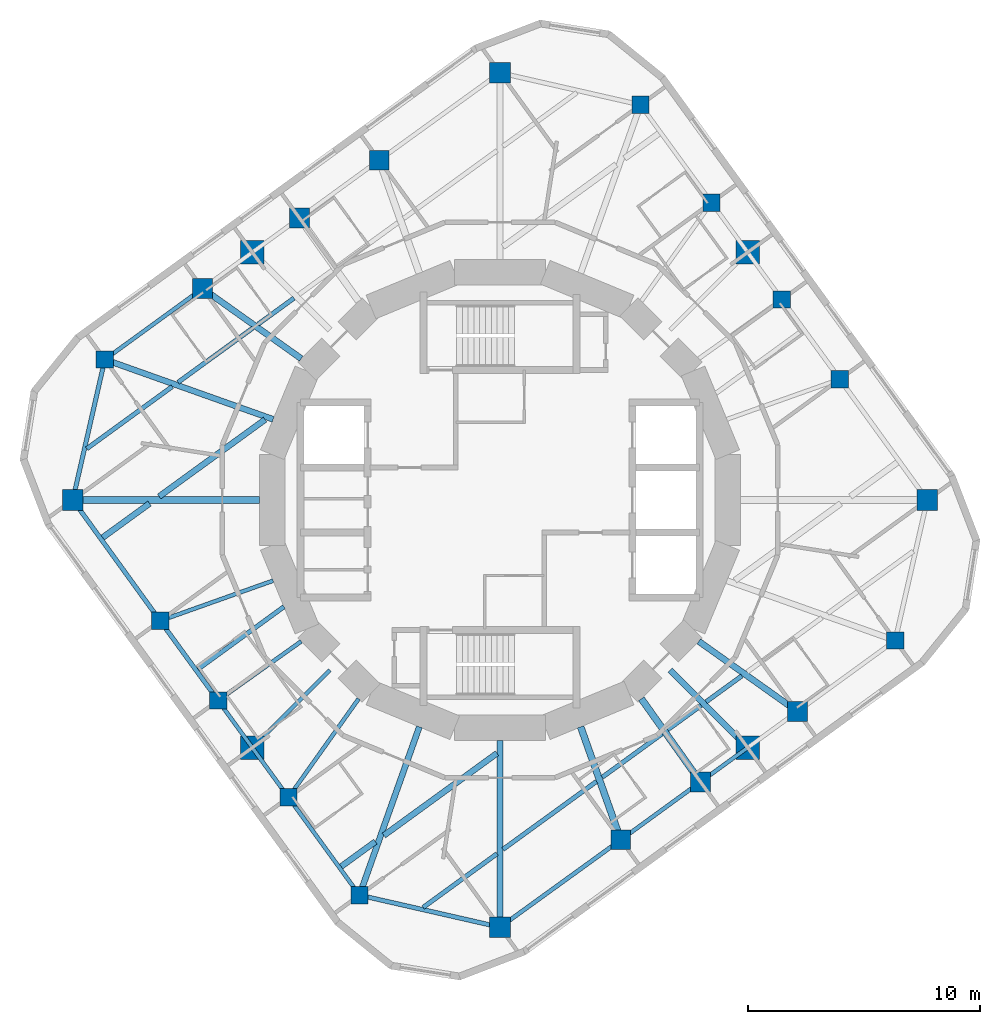
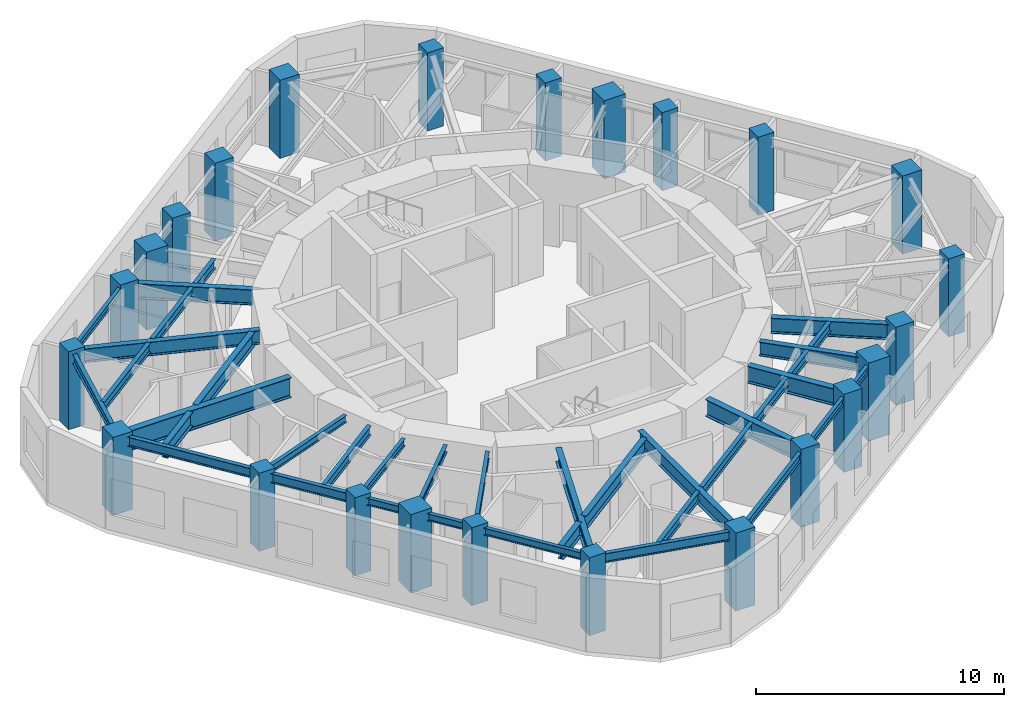
# One storey, part 1 of 9: 37 beams, 24 columns.
"""IFC4 building model written with IfcOpenShell, lengths in metres."""

from ifc_helpers import new_model, si_unit, direction, frame, origin, origin_2d, place, context, subcontext, project, spatial, rectangle, i_section, extrude, material, material_profile, profile_set, type_object, element, save


model = new_model("IFC4")

# Units and contexts
model_context = context("Model", 3, precision=1e-05, world=origin(), true_north=direction((0.0, 1.0)))
body_context = subcontext(model_context, "Body", "Model", "MODEL_VIEW")
ifc_project = project(units=[si_unit("LENGTHUNIT", "METRE"), si_unit("AREAUNIT", "SQUARE_METRE"), si_unit("VOLUMEUNIT", "CUBIC_METRE"), si_unit("PLANEANGLEUNIT", "RADIAN"), si_unit("MASSUNIT", "GRAM", prefix="KILO")], contexts=[model_context])

# Site, building, storey
site_placement = place(None, origin())
site = spatial("IfcSite", under=ifc_project, at=site_placement, CompositionType="ELEMENT")
building_placement = place(site_placement, origin())
building = spatial("IfcBuilding", under=site, at=building_placement, Name="Nakasero Lantern House", CompositionType="ELEMENT")
storey_placement = place(building_placement, frame((0.0, 0.0, 271.449951171875)))
storey = spatial("IfcBuildingStorey", under=building, at=storey_placement, Name="L66", CompositionType="ELEMENT", Elevation=271.449951171875)

# Columns
ifc_material_1 = material(Name="Concrete C40/50", Category="concrete")
ifc_material_profile_1 = material_profile(ifc_material_1, rectangle(XDim=1.0, YDim=1.0, at=origin_2d()), Name="RC 1000x1000")
ifc_profile_set_1 = profile_set([ifc_material_profile_1], Name="Concrete C40/50")
column_type_1 = type_object("IfcColumnType", Name="Mega column RC 1000x1000 C40/50", PredefinedType="COLUMN", material=ifc_profile_set_1)
for number, where, z_axis, x_axis, name in (
    (1, (10.667236328125, 10.667236328125, 0.0), (0.0, 0.0, 1.0), (1.0, 0.0, 0.0), "Column B7-C06 L66"),
    (2, (-10.667236328125, 10.667236328125, 0.0), (0.0, 0.0, 1.0), (1.0, 0.0, 0.0), "Column B7-C12 L66"),
    (3, (-10.667236328125, -10.667236328125, 0.0), (0.0, 0.0, 1.0), (1.0, 0.0, 0.0), "Column B7-C18 L66"),
    (4, (10.667236328125, -10.667236328125, 0.0), (0.0, 0.0, 1.0), (1.0, 0.0, 0.0), "Column B7-C24 L66"),
):
    element("IfcColumn", number, at=place(storey_placement, frame(where, z_axis=z_axis, x_axis=x_axis)), inside=storey, type_object=column_type_1, Name=name, PredefinedType="COLUMN", context=body_context, shape_type="SweptSolid", body=[
        extrude(rectangle(XDim=1.0, YDim=1.0, at=origin_2d()), origin(), (0.0, 0.0, 1.0), 3.85009765625),
    ])
ifc_material_2 = material(Name="Concrete C40/50", Category="concrete")
ifc_material_profile_2 = material_profile(ifc_material_2, rectangle(XDim=0.75, YDim=0.75, at=origin_2d()), Name="RC 750x750")
ifc_profile_set_2 = profile_set([ifc_material_profile_2], Name="Concrete C40/50")
column_type_2 = type_object("IfcColumnType", Name="Ring column RC 750x750 C40/50", PredefinedType="COLUMN", material=ifc_profile_set_2)
for number, where, z_axis, x_axis, name in (
    (5, (17.02001953125, -6.051513671875, 0.0), (0.0, 0.0, 1.0), (1.0, 0.0, 0.0), "Column B7-C02 L66"),
    (6, (14.636474609375, 5.2041015625, 0.0), (0.0, 0.0, 1.0), (1.0, 0.0, 0.0), "Column B7-C04 L66"),
    (7, (12.1435546875, 8.63525390625, 0.0), (0.0, 0.0, 1.0), (1.0, 0.0, 0.0), "Column B7-C05 L66"),
    (8, (9.10986328125, 12.810791015625, 0.0), (0.0, 0.0, 1.0), (1.0, 0.0, 0.0), "Column B7-C07 L66"),
    (9, (6.051513671875, 17.02001953125, 0.0), (0.0, 0.0, 1.0), (1.0, 0.0, 0.0), "Column B7-C08 L66"),
    (10, (-17.02001953125, 6.051513671875, 0.0), (0.0, 0.0, 1.0), (1.0, 0.0, 0.0), "Column B7-C14 L66"),
    (11, (-14.636474609375, -5.2041015625, 0.0), (0.0, 0.0, 1.0), (1.0, 0.0, 0.0), "Column B7-C16 L66"),
    (12, (-12.1435546875, -8.63525390625, 0.0), (0.0, 0.0, 1.0), (1.0, 0.0, 0.0), "Column B7-C17 L66"),
    (13, (-9.10986328125, -12.810791015625, 0.0), (0.0, 0.0, 1.0), (1.0, 0.0, 0.0), "Column B7-C19 L66"),
    (14, (-6.051513671875, -17.02001953125, 0.0), (0.0, 0.0, 1.0), (1.0, 0.0, 0.0), "Column B7-C20 L66"),
):
    element("IfcColumn", number, at=place(storey_placement, frame(where, z_axis=z_axis, x_axis=x_axis)), inside=storey, type_object=column_type_2, Name=name, PredefinedType="COLUMN", context=body_context, shape_type="SweptSolid", body=[
        extrude(rectangle(XDim=0.75, YDim=0.75, at=origin_2d()), origin(), (0.0, 0.0, 1.0), 3.85009765625),
    ])
ifc_material_3 = material(Name="Concrete C40/50", Category="concrete")
ifc_material_profile_3 = material_profile(ifc_material_3, rectangle(XDim=0.85009765625, YDim=0.85009765625, at=origin_2d()), Name="RC 850x850")
ifc_profile_set_3 = profile_set([ifc_material_profile_3], Name="Concrete C40/50")
column_type_3 = type_object("IfcColumnType", Name="Ring column RC 850x850 C40/50", PredefinedType="COLUMN", material=ifc_profile_set_3)
for number, where, z_axis, x_axis, name in (
    (15, (12.810791015625, -9.10986328125, 0.0), (0.0, 0.0, 1.0), (1.0, 0.0, 0.0), "Column B7-C01 L66"),
    (16, (-5.2041015625, 14.636474609375, 0.0), (0.0, 0.0, 1.0), (1.0, 0.0, 0.0), "Column B7-C10 L66"),
    (17, (-8.63525390625, 12.1435546875, 0.0), (0.0, 0.0, 1.0), (1.0, 0.0, 0.0), "Column B7-C11 L66"),
    (18, (-12.810791015625, 9.10986328125, 0.0), (0.0, 0.0, 1.0), (1.0, 0.0, 0.0), "Column B7-C13 L66"),
    (19, (5.2041015625, -14.636474609375, 0.0), (0.0, 0.0, 1.0), (1.0, 0.0, 0.0), "Column B7-C22 L66"),
    (20, (8.63525390625, -12.1435546875, 0.0), (0.0, 0.0, 1.0), (1.0, 0.0, 0.0), "Column B7-C23 L66"),
):
    element("IfcColumn", number, at=place(storey_placement, frame(where, z_axis=z_axis, x_axis=x_axis)), inside=storey, type_object=column_type_3, Name=name, PredefinedType="COLUMN", context=body_context, shape_type="SweptSolid", body=[
        extrude(rectangle(XDim=0.85009765625, YDim=0.85009765625, at=origin_2d()), origin(), (0.0, 0.0, 1.0), 3.85009765625),
    ])
ifc_material_4 = material(Name="Concrete C40/50", Category="concrete")
ifc_material_profile_4 = material_profile(ifc_material_4, rectangle(XDim=0.89990234375, YDim=0.89990234375, at=origin_2d()), Name="RC 900x900")
ifc_profile_set_4 = profile_set([ifc_material_profile_4], Name="Concrete C40/50")
column_type_4 = type_object("IfcColumnType", Name="Ring column RC 900x900 C40/50", PredefinedType="COLUMN", material=ifc_profile_set_4)
for number, where, z_axis, x_axis, name in (
    (21, (18.39990234375, 0.0, 0.0), (0.0, 0.0, 1.0), (1.0, 0.0, 0.0), "Column B7-C03 L66"),
    (22, (0.0, 18.39990234375, 0.0), (0.0, 0.0, 1.0), (1.0, 0.0, 0.0), "Column B7-C09 L66"),
    (23, (-18.39990234375, 0.0, 0.0), (0.0, 0.0, 1.0), (1.0, 0.0, 0.0), "Column B7-C15 L66"),
    (24, (0.0, -18.39990234375, 0.0), (0.0, 0.0, 1.0), (1.0, 0.0, 0.0), "Column B7-C21 L66"),
):
    element("IfcColumn", number, at=place(storey_placement, frame(where, z_axis=z_axis, x_axis=x_axis)), inside=storey, type_object=column_type_4, Name=name, PredefinedType="COLUMN", context=body_context, shape_type="SweptSolid", body=[
        extrude(rectangle(XDim=0.89990234375, YDim=0.89990234375, at=origin_2d()), origin(), (0.0, 0.0, 1.0), 3.85009765625),
    ])

# Beams
ifc_material_5 = material(Name="Steel S355", Category="steel")
ifc_material_profile_5 = material_profile(ifc_material_5, i_section(OverallWidth=0.19140625, OverallDepth=0.4599609375, WebThickness=0.010009765625, FlangeThickness=0.01611328125, FilletRadius=0.01025390625, at=origin_2d()), Name="UB 457x191x82")
ifc_profile_set_5 = profile_set([ifc_material_profile_5], Name="Steel S355")
beam_type_1 = type_object("IfcBeamType", Name="Infill beam UB 457x191x82", PredefinedType="JOIST", material=ifc_profile_set_5)
beam_1_placement = place(storey_placement, frame((-3.311279296875, -17.547607421875, 3.420166015625), z_axis=(0.809028442836, 0.587769494515, 0.0), x_axis=(-0.587769494515, 0.809028442836, 0.0)))
element("IfcBeam", 25, at=beam_1_placement, inside=storey, type_object=beam_type_1, Name="Infill beam L67 03.1", PredefinedType="JOIST", context=body_context, shape_type="SweptSolid", body=[
    extrude(i_section(OverallWidth=0.19140625, OverallDepth=0.4599609375, WebThickness=0.010009765625, FlangeThickness=0.01611328125, FilletRadius=0.01025390625, at=origin_2d()), origin(), (0.0, 0.0, 1.0), 3.934814453125),
])
beam_2_placement = place(storey_placement, frame((0.1279296875, -15.048828125, 3.420166015625), z_axis=(0.809018056479, 0.587783790428, 0.0), x_axis=(-0.587783790428, 0.809018056479, 0.0)))
element("IfcBeam", 26, at=beam_2_placement, inside=storey, type_object=beam_type_1, Name="Infill beam L67 03.2", PredefinedType="JOIST", context=body_context, shape_type="SweptSolid", body=[
    extrude(i_section(OverallWidth=0.19140625, OverallDepth=0.4599609375, WebThickness=0.010009765625, FlangeThickness=0.01611328125, FilletRadius=0.01025390625, at=origin_2d()), origin(), (0.0, 0.0, 1.0), 4.97802734375),
])
beam_3_placement = place(storey_placement, frame((4.40185546875, -11.943603515625, 3.420166015625), z_axis=(0.809014147131, 0.587789171167, 0.0), x_axis=(-0.587789171167, 0.809014147131, 0.0)))
element("IfcBeam", 27, at=beam_3_placement, inside=storey, type_object=beam_type_1, Name="Infill beam L67 03.3", PredefinedType="JOIST", context=body_context, shape_type="SweptSolid", body=[
    extrude(i_section(OverallWidth=0.19140625, OverallDepth=0.4599609375, WebThickness=0.010009765625, FlangeThickness=0.01611328125, FilletRadius=0.01025390625, at=origin_2d()), origin(), (0.0, 0.0, 1.0), 3.188232421875),
])
beam_4_placement = place(storey_placement, frame((7.2177734375, -9.897705078125, 3.420166015625), z_axis=(0.809060510352, 0.587725353025, 0.0), x_axis=(-0.587725353025, 0.809060510352, 0.0)))
element("IfcBeam", 28, at=beam_4_placement, inside=storey, type_object=beam_type_1, Name="Infill beam L67 03.4", PredefinedType="JOIST", context=body_context, shape_type="SweptSolid", body=[
    extrude(i_section(OverallWidth=0.19140625, OverallDepth=0.4599609375, WebThickness=0.010009765625, FlangeThickness=0.01611328125, FilletRadius=0.01025390625, at=origin_2d()), origin(), (0.0, 0.0, 1.0), 1.7890625),
])
beam_5_placement = place(storey_placement, frame((8.874755859375, -8.69384765625, 3.420166015625), z_axis=(0.809012638294, 0.587791247877, 0.0), x_axis=(-0.587791247877, 0.809012638294, 0.0)))
element("IfcBeam", 29, at=beam_5_placement, inside=storey, type_object=beam_type_1, Name="Infill beam L67 03.5", PredefinedType="JOIST", context=body_context, shape_type="SweptSolid", body=[
    extrude(i_section(OverallWidth=0.19140625, OverallDepth=0.4599609375, WebThickness=0.010009765625, FlangeThickness=0.01611328125, FilletRadius=0.01025390625, at=origin_2d()), origin(), (0.0, 0.0, 1.0), 1.908203125),
])
beam_6_placement = place(storey_placement, frame((-13.006103515625, -7.286376953125, 3.420166015625), z_axis=(0.809017640959, 0.587784362344, 0.0), x_axis=(-0.587784362344, 0.809017640959, 0.0)))
element("IfcBeam", 30, at=beam_6_placement, inside=storey, type_object=beam_type_1, Name="Infill beam L67 07.1", PredefinedType="JOIST", context=body_context, shape_type="SweptSolid", body=[
    extrude(i_section(OverallWidth=0.19140625, OverallDepth=0.4599609375, WebThickness=0.010009765625, FlangeThickness=0.01611328125, FilletRadius=0.01025390625, at=origin_2d()), origin(), (0.0, 0.0, 1.0), 4.572998046875),
])
beam_7_placement = place(storey_placement, frame((-17.798583984375, 2.21044921875, 3.420166015625), z_axis=(0.80901210161, 0.587791986546, 0.0), x_axis=(-0.587791986546, 0.80901210161, 0.0)))
element("IfcBeam", 31, at=beam_7_placement, inside=storey, type_object=beam_type_1, Name="Infill beam L67 10.1", PredefinedType="JOIST", context=body_context, shape_type="SweptSolid", body=[
    extrude(i_section(OverallWidth=0.19140625, OverallDepth=0.4599609375, WebThickness=0.010009765625, FlangeThickness=0.01611328125, FilletRadius=0.01025390625, at=origin_2d()), origin(), (0.0, 0.0, 1.0), 4.55029296875),
])
beam_8_placement = place(storey_placement, frame((-13.86865234375, 5.065673828125, 3.420166015625), z_axis=(0.809006350712, 0.587799901759, 0.0), x_axis=(-0.587799901759, 0.809006350712, 0.0)))
element("IfcBeam", 32, at=beam_8_placement, inside=storey, type_object=beam_type_1, Name="Infill beam L67 10.2", PredefinedType="JOIST", context=body_context, shape_type="SweptSolid", body=[
    extrude(i_section(OverallWidth=0.19140625, OverallDepth=0.4599609375, WebThickness=0.010009765625, FlangeThickness=0.01611328125, FilletRadius=0.01025390625, at=origin_2d()), origin(), (0.0, 0.0, 1.0), 3.983154296875),
])
beam_9_placement = place(storey_placement, frame((-10.41845703125, 7.572265625, 3.420166015625), z_axis=(0.809012638294, 0.587791247877, 0.0), x_axis=(-0.587791247877, 0.809012638294, 0.0)))
element("IfcBeam", 33, at=beam_9_placement, inside=storey, type_object=beam_type_1, Name="Infill beam L67 10.3", PredefinedType="JOIST", context=body_context, shape_type="SweptSolid", body=[
    extrude(i_section(OverallWidth=0.19140625, OverallDepth=0.4599609375, WebThickness=0.010009765625, FlangeThickness=0.01611328125, FilletRadius=0.01025390625, at=origin_2d()), origin(), (0.0, 0.0, 1.0), 1.908203125),
])
ifc_material_6 = material(Name="Steel S355", Category="steel")
ifc_material_profile_6 = material_profile(ifc_material_6, i_section(OverallWidth=0.255859375, OverallDepth=0.69287109375, WebThickness=0.014404296875, FlangeThickness=0.023681640625, FilletRadius=0.01513671875, at=origin_2d()), Name="UB 686x254x170")
ifc_profile_set_6 = profile_set([ifc_material_profile_6], Name="Steel S355")
beam_type_2 = type_object("IfcBeamType", Name="Infill beam UB 686x254x170", PredefinedType="JOIST", material=ifc_profile_set_6)
beam_10_placement = place(storey_placement, frame((-6.841796875, -15.786376953125, 3.3037109375), z_axis=(0.809025740158, 0.587773214566, 0.0), x_axis=(-0.587773214566, 0.809025740158, 0.0)))
element("IfcBeam", 34, at=beam_10_placement, inside=storey, type_object=beam_type_2, Name="Infill beam L67 04.1", PredefinedType="JOIST", context=body_context, shape_type="SweptSolid", body=[
    extrude(i_section(OverallWidth=0.255859375, OverallDepth=0.69287109375, WebThickness=0.014404296875, FlangeThickness=0.023681640625, FilletRadius=0.01513671875, at=origin_2d()), origin(), (0.0, 0.0, 1.0), 1.82177734375),
])
beam_11_placement = place(storey_placement, frame((-5.001953125, -14.44970703125, 3.3037109375), z_axis=(0.809011117524, 0.587793340998, 0.0), x_axis=(-0.587793340998, 0.809011117524, 0.0)))
element("IfcBeam", 35, at=beam_11_placement, inside=storey, type_object=beam_type_2, Name="Infill beam L67 04.2", PredefinedType="JOIST", context=body_context, shape_type="SweptSolid", body=[
    extrude(i_section(OverallWidth=0.255859375, OverallDepth=0.69287109375, WebThickness=0.014404296875, FlangeThickness=0.023681640625, FilletRadius=0.01513671875, at=origin_2d()), origin(), (0.0, 0.0, 1.0), 6.024658203125),
])
beam_12_placement = place(storey_placement, frame((-17.1123046875, -1.6171875, 3.3037109375), z_axis=(0.809015124384, 0.587787826106, 0.0), x_axis=(-0.587787826106, 0.809015124384, 0.0)))
element("IfcBeam", 36, at=beam_12_placement, inside=storey, type_object=beam_type_2, Name="Infill beam L67 09.1", PredefinedType="JOIST", context=body_context, shape_type="SweptSolid", body=[
    extrude(i_section(OverallWidth=0.255859375, OverallDepth=0.69287109375, WebThickness=0.014404296875, FlangeThickness=0.023681640625, FilletRadius=0.01513671875, at=origin_2d()), origin(), (0.0, 0.0, 1.0), 2.496337890625),
])
beam_13_placement = place(storey_placement, frame((-14.679931640625, 0.14990234375, 3.3037109375), z_axis=(0.809013172462, 0.587790512669, 0.0), x_axis=(-0.587790512669, 0.809013172462, 0.0)))
element("IfcBeam", 37, at=beam_13_placement, inside=storey, type_object=beam_type_2, Name="Infill beam L67 09.2", PredefinedType="JOIST", context=body_context, shape_type="SweptSolid", body=[
    extrude(i_section(OverallWidth=0.255859375, OverallDepth=0.69287109375, WebThickness=0.014404296875, FlangeThickness=0.023681640625, FilletRadius=0.01513671875, at=origin_2d()), origin(), (0.0, 0.0, 1.0), 5.63720703125),
])
ifc_material_7 = material(Name="Steel S355", Category="steel")
ifc_material_profile_7 = material_profile(ifc_material_7, i_section(OverallWidth=0.300048828125, OverallDepth=0.97998046875, WebThickness=0.0166015625, FlangeThickness=0.02587890625, FilletRadius=0.030029296875, at=origin_2d()), Name="UB 1016x305x249")
ifc_profile_set_7 = profile_set([ifc_material_profile_7], Name="Steel S355")
beam_type_3 = type_object("IfcBeamType", Name="Primary beam UB 1016x305x249, span 6 to 9 m", PredefinedType="BEAM", material=ifc_profile_set_7)
beam_14_placement = place(storey_placement, frame((-18.39990234375, 0.0, 3.159912109375), z_axis=(1.0, 0.0, 0.0), x_axis=(0.0, 1.0, 0.0)))
element("IfcBeam", 38, at=beam_14_placement, inside=storey, type_object=beam_type_3, Name="Primary beam L67 B7-C15", PredefinedType="BEAM", context=body_context, shape_type="SweptSolid", body=[
    extrude(i_section(OverallWidth=0.300048828125, OverallDepth=0.97998046875, WebThickness=0.0166015625, FlangeThickness=0.02587890625, FilletRadius=0.030029296875, at=origin_2d()), origin(), (0.0, 0.0, 1.0), 8.0419921875),
])
ifc_material_8 = material(Name="Steel S355", Category="steel")
ifc_material_profile_8 = material_profile(ifc_material_8, i_section(OverallWidth=0.17138671875, OverallDepth=0.35498046875, WebThickness=0.00732421875, FlangeThickness=0.011474609375, FilletRadius=0.01025390625, at=origin_2d()), Name="UB 356x171x51")
ifc_profile_set_8 = profile_set([ifc_material_profile_8], Name="Steel S355")
beam_type_4 = type_object("IfcBeamType", Name="Primary beam UB 356x171x51, span to 6 m", PredefinedType="BEAM", material=ifc_profile_set_8)
beam_15_placement = place(storey_placement, frame((-14.636474609375, -5.2041015625, 3.47265625), z_axis=(0.942221324153, 0.3349910093, 0.0), x_axis=(-0.3349910093, 0.942221324153, 0.0)))
element("IfcBeam", 39, at=beam_15_placement, inside=storey, type_object=beam_type_4, Name="Primary beam L67 B7-C16", PredefinedType="BEAM", context=body_context, shape_type="SweptSolid", body=[
    extrude(i_section(OverallWidth=0.17138671875, OverallDepth=0.35498046875, WebThickness=0.00732421875, FlangeThickness=0.011474609375, FilletRadius=0.01025390625, at=origin_2d()), origin(), (0.0, 0.0, 1.0), 5.162841796875),
])
beam_16_placement = place(storey_placement, frame((-12.1435546875, -8.63525390625, 3.47265625), z_axis=(0.814988544116, 0.579477068537, 0.0), x_axis=(-0.579477068537, 0.814988544116, 0.0)))
element("IfcBeam", 40, at=beam_16_placement, inside=storey, type_object=beam_type_4, Name="Primary beam L67 B7-C17", PredefinedType="BEAM", context=body_context, shape_type="SweptSolid", body=[
    extrude(i_section(OverallWidth=0.17138671875, OverallDepth=0.35498046875, WebThickness=0.00732421875, FlangeThickness=0.011474609375, FilletRadius=0.01025390625, at=origin_2d()), origin(), (0.0, 0.0, 1.0), 4.396484375),
])
beam_17_placement = place(storey_placement, frame((-10.667236328125, -10.667236328125, 3.47265625), z_axis=(0.707106781187, 0.707106781187, 0.0), x_axis=(-0.707106781187, 0.707106781187, 0.0)))
element("IfcBeam", 41, at=beam_17_placement, inside=storey, type_object=beam_type_4, Name="Primary beam L67 B7-C18", PredefinedType="BEAM", context=body_context, shape_type="SweptSolid", body=[
    extrude(i_section(OverallWidth=0.17138671875, OverallDepth=0.35498046875, WebThickness=0.00732421875, FlangeThickness=0.011474609375, FilletRadius=0.01025390625, at=origin_2d()), origin(), (0.0, 0.0, 1.0), 4.727783203125),
])
beam_18_placement = place(storey_placement, frame((-9.10986328125, -12.810791015625, 3.47265625), z_axis=(0.579500985986, 0.814971537688, 0.0), x_axis=(-0.814971537688, 0.579500985986, 0.0)))
element("IfcBeam", 42, at=beam_18_placement, inside=storey, type_object=beam_type_4, Name="Primary beam L67 B7-C19", PredefinedType="BEAM", context=body_context, shape_type="SweptSolid", body=[
    extrude(i_section(OverallWidth=0.17138671875, OverallDepth=0.35498046875, WebThickness=0.00732421875, FlangeThickness=0.011474609375, FilletRadius=0.01025390625, at=origin_2d()), origin(), (0.0, 0.0, 1.0), 5.215087890625),
])
ifc_material_9 = material(Name="Steel S355", Category="steel")
ifc_material_profile_9 = material_profile(ifc_material_9, i_section(OverallWidth=0.253662109375, OverallDepth=0.68359375, WebThickness=0.012451171875, FlangeThickness=0.01904296875, FilletRadius=0.01513671875, at=origin_2d()), Name="UB 686x254x140")
ifc_profile_set_9 = profile_set([ifc_material_profile_9], Name="Steel S355")
beam_type_5 = type_object("IfcBeamType", Name="Primary beam UB 686x254x140, span 6 to 9 m", PredefinedType="BEAM", material=ifc_profile_set_9)
beam_19_placement = place(storey_placement, frame((-17.02001953125, 6.051513671875, 3.308349609375), z_axis=(0.942222036561, -0.334989005521, 0.0), x_axis=(0.334989005521, 0.942222036561, 0.0)))
element("IfcBeam", 43, at=beam_19_placement, inside=storey, type_object=beam_type_5, Name="Primary beam L67 B7-C14", PredefinedType="BEAM", context=body_context, shape_type="SweptSolid", body=[
    extrude(i_section(OverallWidth=0.253662109375, OverallDepth=0.68359375, WebThickness=0.012451171875, FlangeThickness=0.01904296875, FilletRadius=0.01513671875, at=origin_2d()), origin(), (0.0, 0.0, 1.0), 7.6923828125),
])
ifc_material_10 = material(Name="Steel S355", Category="steel")
ifc_material_profile_10 = material_profile(ifc_material_10, i_section(OverallWidth=0.255859375, OverallDepth=0.69287109375, WebThickness=0.014404296875, FlangeThickness=0.023681640625, FilletRadius=0.01513671875, at=origin_2d()), Name="UB 686x254x170")
ifc_profile_set_10 = profile_set([ifc_material_profile_10], Name="Steel S355")
beam_type_6 = type_object("IfcBeamType", Name="Primary beam UB 686x254x170, span 6 to 9 m", PredefinedType="BEAM", material=ifc_profile_set_10)
beam_20_placement = place(storey_placement, frame((-6.051513671875, -17.02001953125, 3.3037109375), z_axis=(0.334989005521, 0.942222036561, 0.0), x_axis=(-0.942222036561, 0.334989005521, 0.0)))
element("IfcBeam", 44, at=beam_20_placement, inside=storey, type_object=beam_type_6, Name="Primary beam L67 B7-C20", PredefinedType="BEAM", context=body_context, shape_type="SweptSolid", body=[
    extrude(i_section(OverallWidth=0.255859375, OverallDepth=0.69287109375, WebThickness=0.014404296875, FlangeThickness=0.023681640625, FilletRadius=0.01513671875, at=origin_2d()), origin(), (0.0, 0.0, 1.0), 7.6923828125),
])
beam_21_placement = place(storey_placement, frame((0.0, -18.39990234375, 3.3037109375), z_axis=(0.0, 1.0, 0.0), x_axis=(-1.0, 0.0, 0.0)))
element("IfcBeam", 45, at=beam_21_placement, inside=storey, type_object=beam_type_6, Name="Primary beam L67 B7-C21", PredefinedType="BEAM", context=body_context, shape_type="SweptSolid", body=[
    extrude(i_section(OverallWidth=0.255859375, OverallDepth=0.69287109375, WebThickness=0.014404296875, FlangeThickness=0.023681640625, FilletRadius=0.01513671875, at=origin_2d()), origin(), (0.0, 0.0, 1.0), 8.0419921875),
])
ifc_material_11 = material(Name="Steel S355", Category="steel")
ifc_material_profile_11 = material_profile(ifc_material_11, i_section(OverallWidth=0.255859375, OverallDepth=0.69287109375, WebThickness=0.014404296875, FlangeThickness=0.023681640625, FilletRadius=0.01513671875, at=origin_2d()), Name="UB 686x254x170")
ifc_profile_set_11 = profile_set([ifc_material_profile_11], Name="Steel S355")
beam_type_7 = type_object("IfcBeamType", Name="Primary beam UB 686x254x170, span to 6 m", PredefinedType="BEAM", material=ifc_profile_set_11)
beam_22_placement = place(storey_placement, frame((10.667236328125, -10.667236328125, 3.3037109375), z_axis=(-0.707106781187, 0.707106781187, 0.0), x_axis=(-0.707106781187, -0.707106781187, 0.0)))
element("IfcBeam", 46, at=beam_22_placement, inside=storey, type_object=beam_type_7, Name="Primary beam L67 B7-C24", PredefinedType="BEAM", context=body_context, shape_type="SweptSolid", body=[
    extrude(i_section(OverallWidth=0.255859375, OverallDepth=0.69287109375, WebThickness=0.014404296875, FlangeThickness=0.023681640625, FilletRadius=0.01513671875, at=origin_2d()), origin(), (0.0, 0.0, 1.0), 4.727783203125),
])
ifc_material_12 = material(Name="Steel S355", Category="steel")
ifc_material_profile_12 = material_profile(ifc_material_12, i_section(OverallWidth=0.2666015625, OverallDepth=0.76220703125, WebThickness=0.014404296875, FlangeThickness=0.021484375, FilletRadius=0.0166015625, at=origin_2d()), Name="UB 762x267x173")
ifc_profile_set_12 = profile_set([ifc_material_profile_12], Name="Steel S355")
beam_type_8 = type_object("IfcBeamType", Name="Primary beam UB 762x267x173, span to 6 m", PredefinedType="BEAM", material=ifc_profile_set_12)
for number, where, z_axis, x_axis, name in (
    (47, (12.810791015625, -9.10986328125, 3.26904296875), (-0.814971537688, 0.579500985986, 0.0), (-0.579500985986, -0.814971537688, 0.0), "Primary beam L67 B7-C01"),
    (48, (-12.810791015625, 9.10986328125, 3.26904296875), (0.814971537688, -0.579500985986, 0.0), (0.579500985986, 0.814971537688, 0.0), "Primary beam L67 B7-C13"),
):
    element("IfcBeam", number, at=place(storey_placement, frame(where, z_axis=z_axis, x_axis=x_axis)), inside=storey, type_object=beam_type_8, Name=name, PredefinedType="BEAM", context=body_context, shape_type="SweptSolid", body=[
        extrude(i_section(OverallWidth=0.2666015625, OverallDepth=0.76220703125, WebThickness=0.014404296875, FlangeThickness=0.021484375, FilletRadius=0.0166015625, at=origin_2d()), origin(), (0.0, 0.0, 1.0), 5.215087890625),
    ])
ifc_material_13 = material(Name="Steel S355", Category="steel")
ifc_material_profile_13 = material_profile(ifc_material_13, i_section(OverallWidth=0.29248046875, OverallDepth=0.8408203125, WebThickness=0.0146484375, FlangeThickness=0.02685546875, FilletRadius=0.017822265625, at=origin_2d()), Name="UB 838x292x194")
ifc_profile_set_13 = profile_set([ifc_material_profile_13], Name="Steel S355")
beam_type_9 = type_object("IfcBeamType", Name="Primary beam UB 838x292x194, span to 6 m", PredefinedType="BEAM", material=ifc_profile_set_13)
beam_23_placement = place(storey_placement, frame((5.2041015625, -14.636474609375, 3.229736328125), z_axis=(-0.3349910093, 0.942221324153, 0.0), x_axis=(-0.942221324153, -0.3349910093, 0.0)))
element("IfcBeam", 49, at=beam_23_placement, inside=storey, type_object=beam_type_9, Name="Primary beam L67 B7-C22", PredefinedType="BEAM", context=body_context, shape_type="SweptSolid", body=[
    extrude(i_section(OverallWidth=0.29248046875, OverallDepth=0.8408203125, WebThickness=0.0146484375, FlangeThickness=0.02685546875, FilletRadius=0.017822265625, at=origin_2d()), origin(), (0.0, 0.0, 1.0), 5.162841796875),
])
beam_24_placement = place(storey_placement, frame((8.63525390625, -12.1435546875, 3.229736328125), z_axis=(-0.579477068537, 0.814988544116, 0.0), x_axis=(-0.814988544116, -0.579477068537, 0.0)))
element("IfcBeam", 50, at=beam_24_placement, inside=storey, type_object=beam_type_9, Name="Primary beam L67 B7-C23", PredefinedType="BEAM", context=body_context, shape_type="SweptSolid", body=[
    extrude(i_section(OverallWidth=0.29248046875, OverallDepth=0.8408203125, WebThickness=0.0146484375, FlangeThickness=0.02685546875, FilletRadius=0.017822265625, at=origin_2d()), origin(), (0.0, 0.0, 1.0), 4.396484375),
])
ifc_material_14 = material(Name="Steel S355", Category="steel")
ifc_material_profile_14 = material_profile(ifc_material_14, i_section(OverallWidth=0.17138671875, OverallDepth=0.35498046875, WebThickness=0.00732421875, FlangeThickness=0.011474609375, FilletRadius=0.01025390625, at=origin_2d()), Name="UB 356x171x51")
ifc_profile_set_14 = profile_set([ifc_material_profile_14], Name="Steel S355")
beam_type_10 = type_object("IfcBeamType", Name="Ring beam UB 356x171x51", PredefinedType="BEAM", material=ifc_profile_set_14)
beam_25_placement = place(storey_placement, frame((-12.810791015625, 9.10986328125, 3.47265625), z_axis=(-0.809001814948, -0.587806144414, 0.0), x_axis=(0.587806144414, -0.809001814948, 0.0)))
element("IfcBeam", 51, at=beam_25_placement, inside=storey, type_object=beam_type_10, Name="Ring beam L67 B7-C13", PredefinedType="BEAM", context=body_context, shape_type="SweptSolid", body=[
    extrude(i_section(OverallWidth=0.17138671875, OverallDepth=0.35498046875, WebThickness=0.00732421875, FlangeThickness=0.011474609375, FilletRadius=0.01025390625, at=origin_2d()), origin(), (0.0, 0.0, 1.0), 5.202880859375),
])
beam_26_placement = place(storey_placement, frame((-12.1435546875, -8.63525390625, 3.47265625), z_axis=(0.58778439593, -0.809017616558, 0.0), x_axis=(0.809017616558, 0.58778439593, 0.0)))
element("IfcBeam", 52, at=beam_26_placement, inside=storey, type_object=beam_type_10, Name="Ring beam L67 B7-C17", PredefinedType="BEAM", context=body_context, shape_type="SweptSolid", body=[
    extrude(i_section(OverallWidth=0.17138671875, OverallDepth=0.35498046875, WebThickness=0.00732421875, FlangeThickness=0.011474609375, FilletRadius=0.01025390625, at=origin_2d()), origin(), (0.0, 0.0, 1.0), 2.51171875),
])
beam_27_placement = place(storey_placement, frame((-10.667236328125, -10.667236328125, 3.47265625), z_axis=(0.587782635143, -0.809018895839, 0.0), x_axis=(0.809018895839, 0.587782635143, 0.0)))
element("IfcBeam", 53, at=beam_27_placement, inside=storey, type_object=beam_type_10, Name="Ring beam L67 B7-C18", PredefinedType="BEAM", context=body_context, shape_type="SweptSolid", body=[
    extrude(i_section(OverallWidth=0.17138671875, OverallDepth=0.35498046875, WebThickness=0.00732421875, FlangeThickness=0.011474609375, FilletRadius=0.01025390625, at=origin_2d()), origin(), (0.0, 0.0, 1.0), 2.649658203125),
])
beam_28_placement = place(storey_placement, frame((-9.10986328125, -12.810791015625, 3.47265625), z_axis=(0.587806144414, -0.809001814948, 0.0), x_axis=(0.809001814948, 0.587806144414, 0.0)))
element("IfcBeam", 54, at=beam_28_placement, inside=storey, type_object=beam_type_10, Name="Ring beam L67 B7-C19", PredefinedType="BEAM", context=body_context, shape_type="SweptSolid", body=[
    extrude(i_section(OverallWidth=0.17138671875, OverallDepth=0.35498046875, WebThickness=0.00732421875, FlangeThickness=0.011474609375, FilletRadius=0.01025390625, at=origin_2d()), origin(), (0.0, 0.0, 1.0), 5.202880859375),
])
beam_29_placement = place(storey_placement, frame((5.2041015625, -14.636474609375, 3.47265625), z_axis=(0.809012304944, 0.587791706687, 0.0), x_axis=(-0.587791706687, 0.809012304944, 0.0)))
element("IfcBeam", 55, at=beam_29_placement, inside=storey, type_object=beam_type_10, Name="Ring beam L67 B7-C22", PredefinedType="BEAM", context=body_context, shape_type="SweptSolid", body=[
    extrude(i_section(OverallWidth=0.17138671875, OverallDepth=0.35498046875, WebThickness=0.00732421875, FlangeThickness=0.011474609375, FilletRadius=0.01025390625, at=origin_2d()), origin(), (0.0, 0.0, 1.0), 4.2412109375),
])
beam_30_placement = place(storey_placement, frame((8.63525390625, -12.1435546875, 3.47265625), z_axis=(0.809017616558, 0.58778439593, 0.0), x_axis=(-0.58778439593, 0.809017616558, 0.0)))
element("IfcBeam", 56, at=beam_30_placement, inside=storey, type_object=beam_type_10, Name="Ring beam L67 B7-C23", PredefinedType="BEAM", context=body_context, shape_type="SweptSolid", body=[
    extrude(i_section(OverallWidth=0.17138671875, OverallDepth=0.35498046875, WebThickness=0.00732421875, FlangeThickness=0.011474609375, FilletRadius=0.01025390625, at=origin_2d()), origin(), (0.0, 0.0, 1.0), 2.51171875),
])
ifc_material_15 = material(Name="Steel S355", Category="steel")
ifc_material_profile_15 = material_profile(ifc_material_15, i_section(OverallWidth=0.177978515625, OverallDepth=0.406494140625, WebThickness=0.0078125, FlangeThickness=0.0126953125, FilletRadius=0.01025390625, at=origin_2d()), Name="UB 406x178x60")
ifc_profile_set_15 = profile_set([ifc_material_profile_15], Name="Steel S355")
beam_type_11 = type_object("IfcBeamType", Name="Ring beam UB 406x178x60", PredefinedType="BEAM", material=ifc_profile_set_15)
beam_31_placement = place(storey_placement, frame((0.0, -18.39990234375, 3.44677734375), z_axis=(0.810316200404, 0.58599287996, 0.0), x_axis=(-0.58599287996, 0.810316200404, 0.0)))
element("IfcBeam", 57, at=beam_31_placement, inside=storey, type_object=beam_type_11, Name="Ring beam L67 B7-C21", PredefinedType="BEAM", context=body_context, shape_type="SweptSolid", body=[
    extrude(i_section(OverallWidth=0.177978515625, OverallDepth=0.406494140625, WebThickness=0.0078125, FlangeThickness=0.0126953125, FilletRadius=0.01025390625, at=origin_2d()), origin(), (0.0, 0.0, 1.0), 6.42236328125),
])
ifc_material_16 = material(Name="Steel S355", Category="steel")
ifc_material_profile_16 = material_profile(ifc_material_16, i_section(OverallWidth=0.18994140625, OverallDepth=0.453369140625, WebThickness=0.008544921875, FlangeThickness=0.0126953125, FilletRadius=0.01025390625, at=origin_2d()), Name="UB 457x191x67")
ifc_profile_set_16 = profile_set([ifc_material_profile_16], Name="Steel S355")
beam_type_12 = type_object("IfcBeamType", Name="Ring beam UB 457x191x67", PredefinedType="BEAM", material=ifc_profile_set_16)
beam_32_placement = place(storey_placement, frame((-17.02001953125, 6.051513671875, 3.42333984375), z_axis=(-0.222316387753, -0.974974575944, 0.0), x_axis=(0.974974575944, -0.222316387753, 0.0)))
element("IfcBeam", 58, at=beam_32_placement, inside=storey, type_object=beam_type_12, Name="Ring beam L67 B7-C14", PredefinedType="BEAM", context=body_context, shape_type="SweptSolid", body=[
    extrude(i_section(OverallWidth=0.18994140625, OverallDepth=0.453369140625, WebThickness=0.008544921875, FlangeThickness=0.0126953125, FilletRadius=0.01025390625, at=origin_2d()), origin(), (0.0, 0.0, 1.0), 6.206787109375),
])
beam_33_placement = place(storey_placement, frame((-14.636474609375, -5.2041015625, 3.42333984375), z_axis=(0.587791706687, -0.809012304944, 0.0), x_axis=(0.809012304944, 0.587791706687, 0.0)))
element("IfcBeam", 59, at=beam_33_placement, inside=storey, type_object=beam_type_12, Name="Ring beam L67 B7-C16", PredefinedType="BEAM", context=body_context, shape_type="SweptSolid", body=[
    extrude(i_section(OverallWidth=0.18994140625, OverallDepth=0.453369140625, WebThickness=0.008544921875, FlangeThickness=0.0126953125, FilletRadius=0.01025390625, at=origin_2d()), origin(), (0.0, 0.0, 1.0), 4.2412109375),
])
beam_34_placement = place(storey_placement, frame((-6.051513671875, -17.02001953125, 3.42333984375), z_axis=(0.974974575944, -0.222316387753, 0.0), x_axis=(0.222316387753, 0.974974575944, 0.0)))
element("IfcBeam", 60, at=beam_34_placement, inside=storey, type_object=beam_type_12, Name="Ring beam L67 B7-C20", PredefinedType="BEAM", context=body_context, shape_type="SweptSolid", body=[
    extrude(i_section(OverallWidth=0.18994140625, OverallDepth=0.453369140625, WebThickness=0.008544921875, FlangeThickness=0.0126953125, FilletRadius=0.01025390625, at=origin_2d()), origin(), (0.0, 0.0, 1.0), 6.206787109375),
])
ifc_material_17 = material(Name="Steel S355", Category="steel")
ifc_material_profile_17 = material_profile(ifc_material_17, i_section(OverallWidth=0.19140625, OverallDepth=0.4599609375, WebThickness=0.010009765625, FlangeThickness=0.01611328125, FilletRadius=0.01025390625, at=origin_2d()), Name="UB 457x191x82")
ifc_profile_set_17 = profile_set([ifc_material_profile_17], Name="Steel S355")
beam_type_13 = type_object("IfcBeamType", Name="Ring beam UB 457x191x82", PredefinedType="BEAM", material=ifc_profile_set_17)
beam_35_placement = place(storey_placement, frame((-18.39990234375, 0.0, 3.420166015625), z_axis=(0.58599287996, -0.810316200404, 0.0), x_axis=(0.810316200404, 0.58599287996, 0.0)))
element("IfcBeam", 61, at=beam_35_placement, inside=storey, type_object=beam_type_13, Name="Ring beam L67 B7-C15", PredefinedType="BEAM", context=body_context, shape_type="SweptSolid", body=[
    extrude(i_section(OverallWidth=0.19140625, OverallDepth=0.4599609375, WebThickness=0.010009765625, FlangeThickness=0.01611328125, FilletRadius=0.01025390625, at=origin_2d()), origin(), (0.0, 0.0, 1.0), 6.42236328125),
])

save(model, "model.ifc")
